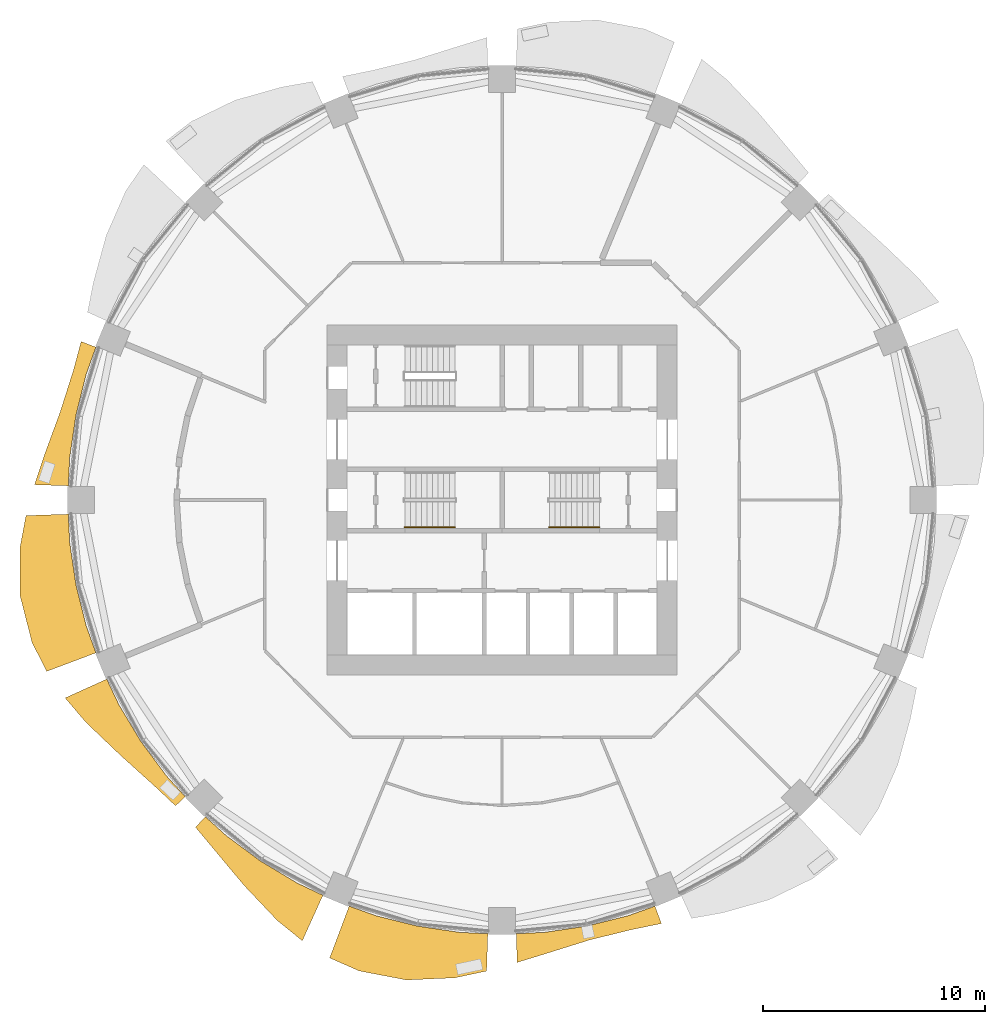
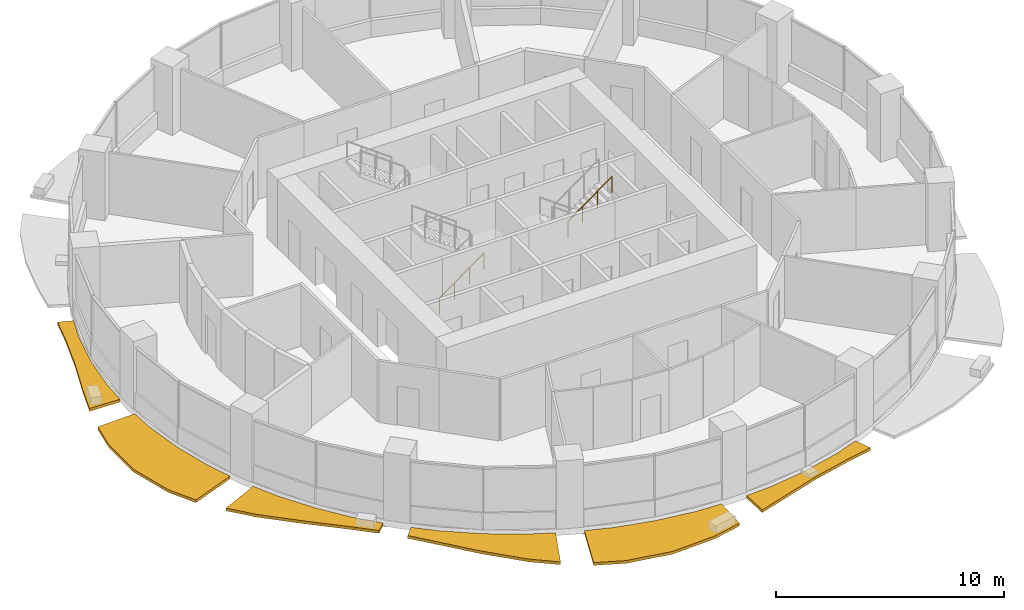
# One storey, part 12 of 15: 6 shading devices, 2 railings.
"""IFC4 building model written with IfcOpenShell, lengths in metres."""

from ifc_helpers import new_model, si_unit, direction, frame, origin, origin_2d, place, context, subcontext, project, spatial, polyline, circle, outline, extrude, material, type_object, element, save


model = new_model("IFC4")

# Units and contexts
model_context = context("Model", 3, precision=1e-05, world=origin(), true_north=direction((0.0, 1.0)))
body_context = subcontext(model_context, "Body", "Model", "MODEL_VIEW")
ifc_project = project(units=[si_unit("LENGTHUNIT", "METRE"), si_unit("AREAUNIT", "SQUARE_METRE"), si_unit("VOLUMEUNIT", "CUBIC_METRE"), si_unit("PLANEANGLEUNIT", "RADIAN"), si_unit("MASSUNIT", "GRAM", prefix="KILO")], contexts=[model_context])

# Site, building, storey
site_placement = place(None, origin())
site = spatial("IfcSite", under=ifc_project, at=site_placement, CompositionType="ELEMENT")
building_placement = place(site_placement, origin())
building = spatial("IfcBuilding", under=site, at=building_placement, Name="Polderwave Tower", CompositionType="ELEMENT")
storey_placement = place(building_placement, frame((0.0, 0.0, 62.699951171875)))
storey = spatial("IfcBuildingStorey", under=building, at=storey_placement, Name="L16", CompositionType="ELEMENT", Elevation=62.699951171875)

# Railings
ifc_material_1 = material(Name="Stainless steel", Category="steel")
railing_type = type_object("IfcRailingType", Name="Stair handrail 900", PredefinedType="HANDRAIL", material=ifc_material_1)
railing_1_placement = place(storey_placement, frame((-4.3740234375, -1.22509765625, 0.1826171875)))
element("IfcRailing", 1, at=railing_1_placement, inside=storey, type_object=railing_type, Name="L16 ST-A stair handrail 1", PredefinedType="HANDRAIL", context=body_context, shape_type="SweptSolid", body=[
    extrude(circle(Radius=0.02392578125, at=origin_2d()), frame((0.0, 0.0, 0.8759765625), z_axis=(0.807715371301, 0.0, 0.589572623995), x_axis=(0.0, 1.0, 0.0)), (0.0, 0.0, 1.0), 2.78564453125),
    extrude(circle(Radius=0.02099609375, at=origin_2d()), origin(), (0.0, 0.0, 1.0), 0.851806640625),
    extrude(circle(Radius=0.02099609375, at=origin_2d()), frame((0.75, 0.0, 0.54736328125)), (0.0, 0.0, 1.0), 0.851806640625),
    extrude(circle(Radius=0.02099609375, at=origin_2d()), frame((1.5, 0.0, 1.094970703125)), (0.0, 0.0, 1.0), 0.851806640625),
    extrude(circle(Radius=0.02099609375, at=origin_2d()), frame((2.25, 0.0, 1.642333984375)), (0.0, 0.0, 1.0), 0.851806640625),
])
railing_2_placement = place(storey_placement, frame((2.1240234375, -1.22509765625, 2.007568359375)))
element("IfcRailing", 2, at=railing_2_placement, inside=storey, type_object=railing_type, Name="L16 ST-B stair handrail 2", PredefinedType="HANDRAIL", context=body_context, shape_type="SweptSolid", body=[
    extrude(circle(Radius=0.02392578125, at=origin_2d()), frame((0.0, 0.0, 0.8759765625), z_axis=(0.807673635365, 0.0, 0.58962979804), x_axis=(0.0, 1.0, 0.0)), (0.0, 0.0, 1.0), 2.785888671875),
    extrude(circle(Radius=0.02099609375, at=origin_2d()), origin(), (0.0, 0.0, 1.0), 0.851806640625),
    extrude(circle(Radius=0.02099609375, at=origin_2d()), frame((0.75, 0.0, 0.547607421875)), (0.0, 0.0, 1.0), 0.851806640625),
    extrude(circle(Radius=0.02099609375, at=origin_2d()), frame((1.5, 0.0, 1.094970703125)), (0.0, 0.0, 1.0), 0.851806640625),
    extrude(circle(Radius=0.02099609375, at=origin_2d()), frame((2.25, 0.0, 1.642578125)), (0.0, 0.0, 1.0), 0.851806640625),
])

# Shading devices
ifc_material_2 = material(Name="Terracotta", Category="masonry")
shading_device_type = type_object("IfcShadingDeviceType", Name="Terracotta sunshade band", PredefinedType="USERDEFINED", material=ifc_material_2)
shading_device_1_placement = place(storey_placement, frame((0.0, 0.0, -0.349853515625)))
element("IfcShadingDevice", 3, at=shading_device_1_placement, inside=storey, type_object=shading_device_type, Name="Sunshade band L16 8", ObjectType="SUNSHADE", PredefinedType="USERDEFINED", context=body_context, shape_type="SweptSolid", body=[
    extrude(outline(polyline([(-18.267822265625, 6.8759765625), (-18.698486328125, 5.672119140625), (-19.16455078125, 3.81201171875), (-19.44580078125, 1.915283203125), (-19.508544921875, 0.63818359375), (-21.026611328125, 0.68798828125), (-20.583984375, 2.02734375), (-19.876708984375, 3.95361328125), (-19.27587890625, 5.847412109375), (-18.9326171875, 7.126220703125), (-18.267822265625, 6.8759765625)])), origin(), (0.0, 0.0, 1.0), 0.14990234375),
])
shading_device_2_placement = place(storey_placement, frame((0.0, 0.0, -0.349853515625)))
element("IfcShadingDevice", 4, at=shading_device_2_placement, inside=storey, type_object=shading_device_type, Name="Sunshade band L16 9", ObjectType="SUNSHADE", PredefinedType="USERDEFINED", context=body_context, shape_type="SweptSolid", body=[
    extrude(outline(polyline([(-19.508544921875, -0.63818359375), (-19.44580078125, -1.915283203125), (-19.16455078125, -3.81201171875), (-18.698486328125, -5.672119140625), (-18.267822265625, -6.8759765625), (-20.478515625, -7.7080078125), (-21.140625, -6.412841796875), (-21.677001953125, -4.311767578125), (-21.682373046875, -2.135498046875), (-21.413818359375, -0.70068359375), (-19.508544921875, -0.63818359375)])), origin(), (0.0, 0.0, 1.0), 0.14990234375),
])
shading_device_3_placement = place(storey_placement, frame((0.0, 0.0, -0.349853515625)))
element("IfcShadingDevice", 5, at=shading_device_3_placement, inside=storey, type_object=shading_device_type, Name="Sunshade band L16 10", ObjectType="SUNSHADE", PredefinedType="USERDEFINED", context=body_context, shape_type="SweptSolid", body=[
    extrude(outline(polyline([(-17.779296875, -8.055419921875), (-17.232666015625, -9.211181640625), (-16.246826171875, -10.855712890625), (-15.1044921875, -12.39599609375), (-14.24609375, -13.343505859375), (-14.686279296875, -13.755859375), (-15.65380859375, -12.8466796875), (-17.173095703125, -11.474609375), (-18.715576171875, -10.003662109375), (-19.652587890625, -8.904052734375), (-17.779296875, -8.055419921875)])), origin(), (0.0, 0.0, 1.0), 0.14990234375),
])
shading_device_4_placement = place(storey_placement, frame((0.0, 0.0, -0.349853515625)))
element("IfcShadingDevice", 6, at=shading_device_4_placement, inside=storey, type_object=shading_device_type, Name="Sunshade band L16 11", ObjectType="SUNSHADE", PredefinedType="USERDEFINED", context=body_context, shape_type="SweptSolid", body=[
    extrude(outline(polyline([(-13.343505859375, -14.24609375), (-12.39599609375, -15.1044921875), (-10.855712890625, -16.246826171875), (-9.211181640625, -17.232666015625), (-8.055419921875, -17.779296875), (-8.982666015625, -19.826416015625), (-10.109619140625, -18.9140625), (-11.59228515625, -17.349365234375), (-12.927490234375, -15.752197265625), (-13.786376953125, -14.718994140625), (-13.343505859375, -14.24609375)])), origin(), (0.0, 0.0, 1.0), 0.14990234375),
])
shading_device_5_placement = place(storey_placement, frame((0.0, 0.0, -0.349853515625)))
element("IfcShadingDevice", 7, at=shading_device_5_placement, inside=storey, type_object=shading_device_type, Name="Sunshade band L16 12", ObjectType="SUNSHADE", PredefinedType="USERDEFINED", context=body_context, shape_type="SweptSolid", body=[
    extrude(outline(polyline([(-6.8759765625, -18.267822265625), (-5.672119140625, -18.698486328125), (-3.81201171875, -19.16455078125), (-1.915283203125, -19.44580078125), (-0.63818359375, -19.508544921875), (-0.693115234375, -21.18896484375), (-2.11669921875, -21.492431640625), (-4.294677734375, -21.5908203125), (-6.42578125, -21.18359375), (-7.7529296875, -20.597900390625), (-6.8759765625, -18.267822265625)])), origin(), (0.0, 0.0, 1.0), 0.14990234375),
])
shading_device_6_placement = place(storey_placement, frame((0.0, 0.0, -0.349853515625)))
element("IfcShadingDevice", 8, at=shading_device_6_placement, inside=storey, type_object=shading_device_type, Name="Sunshade band L16 13", ObjectType="SUNSHADE", PredefinedType="USERDEFINED", context=body_context, shape_type="SweptSolid", body=[
    extrude(outline(polyline([(0.63818359375, -19.508544921875), (1.915283203125, -19.44580078125), (3.81201171875, -19.16455078125), (5.672119140625, -18.698486328125), (6.8759765625, -18.267822265625), (7.171142578125, -19.052001953125), (5.8603515625, -19.31884765625), (3.9365234375, -19.79052734375), (2.008544921875, -20.39404296875), (0.680419921875, -20.8017578125), (0.63818359375, -19.508544921875)])), origin(), (0.0, 0.0, 1.0), 0.14990234375),
])

save(model, "model.ifc")
